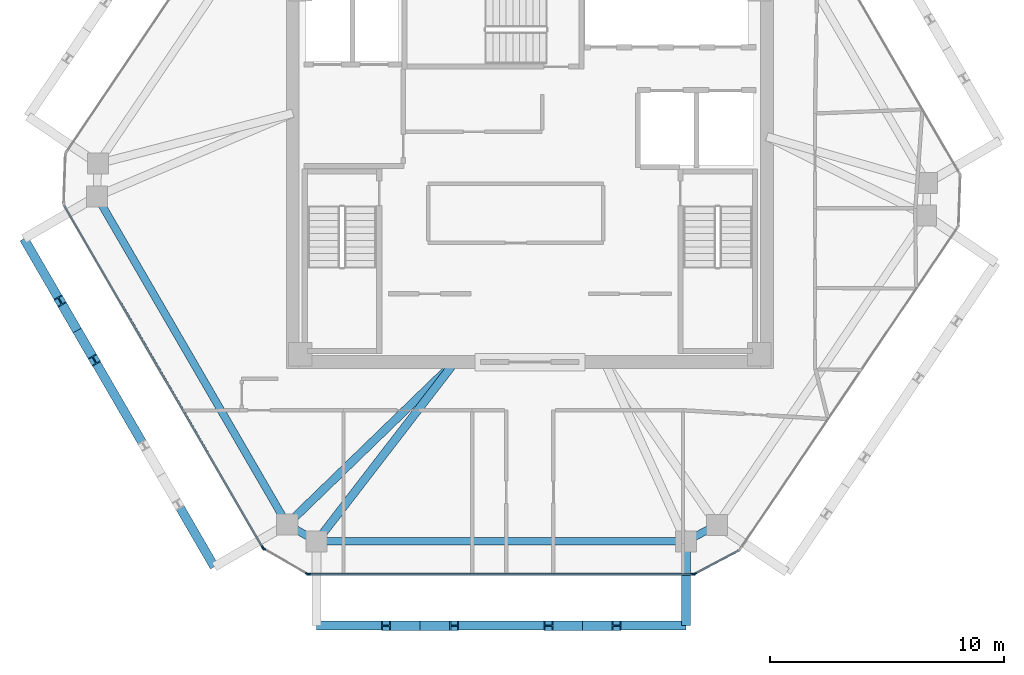
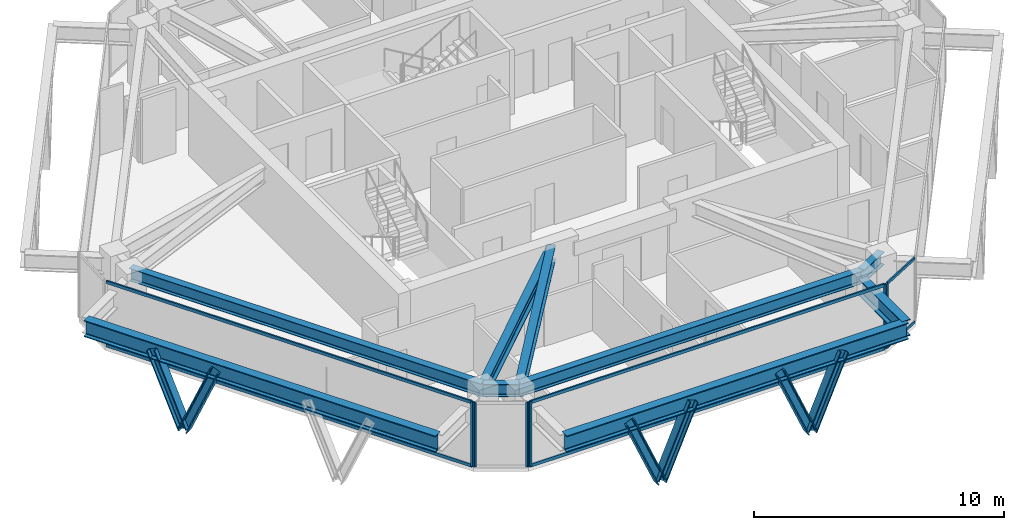
# One storey, part 2 of 11: 18 members, 9 beams, 4 elements without a shape of their own.
"""IFC4 building model written with IfcOpenShell, lengths in metres."""

from ifc_helpers import new_model, si_unit, direction, frame, origin, origin_2d, place, context, subcontext, project, spatial, rectangle, i_section, extrude, source, transform, mapped, material, layer, layer_set, material_profile, profile_set, type_object, type_shapes, element, aggregate, save


model = new_model("IFC4")

# Units and contexts
model_context = context("Model", 3, precision=1e-05, world=origin(), true_north=direction((0.0, 1.0)))
body_context = subcontext(model_context, "Body", "Model", "MODEL_VIEW")
ifc_project = project(units=[si_unit("LENGTHUNIT", "METRE"), si_unit("AREAUNIT", "SQUARE_METRE"), si_unit("VOLUMEUNIT", "CUBIC_METRE"), si_unit("PLANEANGLEUNIT", "RADIAN"), si_unit("MASSUNIT", "GRAM", prefix="KILO")], contexts=[model_context])

# Site, building, storey
site_placement = place(None, origin())
site = spatial("IfcSite", under=ifc_project, at=site_placement, CompositionType="ELEMENT")
building_placement = place(site_placement, origin())
building = spatial("IfcBuilding", under=site, at=building_placement, Name="Durnholm Broadcast Tower", CompositionType="ELEMENT")
storey_placement = place(building_placement, frame((0.0, 0.0, 251.300048828125)))
storey = spatial("IfcBuildingStorey", under=building, at=storey_placement, Name="L70", CompositionType="ELEMENT", Elevation=251.300048828125)

# Beams
ifc_material_1 = material(Name="Steel ASTM A992 Grade 50", Category="steel")
ifc_material_profile_1 = material_profile(ifc_material_1, i_section(OverallWidth=0.385009765625, OverallDepth=0.802978515625, WebThickness=0.023681640625, FlangeThickness=0.0419921875, FilletRadius=0.032958984375, at=origin_2d()), Name="W30X261")
ifc_profile_set_1 = profile_set([ifc_material_profile_1], Name="Steel ASTM A992 Grade 50")
beam_type_1 = type_object("IfcBeamType", Name="BM-EXO-TIE", PredefinedType="USERDEFINED", material=ifc_profile_set_1)
shared_shape_1 = source(origin(), body_context, "Body", "SweptSolid", [
    extrude(i_section(OverallWidth=0.385009765625, OverallDepth=0.802978515625, WebThickness=0.023681640625, FlangeThickness=0.0419921875, FilletRadius=0.032958984375, at=origin_2d()), origin(), (0.0, 0.0, 1.0), 3.4560546875),
])
beam_1_placement = place(storey_placement, frame((6.663818359375, -15.929931640625, 2.408447265625), z_axis=(0.0, -1.0, 0.0), x_axis=(1.0, 0.0, 0.0)))
element("IfcBeam", 1, at=beam_1_placement, inside=storey, type_object=beam_type_1, Name="L70 exoskeleton stand-off tie bracket F1.2", ObjectType="GIRDER", PredefinedType="USERDEFINED", context=body_context, shape_type="MappedRepresentation", body=[
    mapped(shared_shape_1, transform((0.0, 0.0, 0.0), x_axis=(1.0, 0.0, 0.0), y_axis=(0.0, 1.0, 0.0), z_axis=(0.0, 0.0, 1.0), scale=1.0)),
])
ifc_material_profile_2 = material_profile(ifc_material_1, i_section(OverallWidth=0.3251953125, OverallDepth=0.6162109375, WebThickness=0.013916015625, FlangeThickness=0.021484375, FilletRadius=0.02783203125, at=origin_2d()), Name="W24X117")
ifc_profile_set_2 = profile_set([ifc_material_profile_2], Name="Steel ASTM A992 Grade 50")
beam_type_2 = type_object("IfcBeamType", Name="STL-SP-W24X117", PredefinedType="SPANDREL", material=ifc_profile_set_2)
shared_shape_2 = source(origin(), body_context, "Body", "SweptSolid", [
    extrude(i_section(OverallWidth=0.3251953125, OverallDepth=0.6162109375, WebThickness=0.013916015625, FlangeThickness=0.021484375, FilletRadius=0.02783203125, at=origin_2d()), origin(), (0.0, 0.0, 1.0), 16.202880859375),
])
beam_2_placement = place(storey_placement, frame((-10.361328125, -15.061767578125, 2.8369140625), z_axis=(-0.501948303381, 0.864897624423, 0.0), x_axis=(-0.864897624423, -0.501948303381, 0.0)))
element("IfcBeam", 2, at=beam_2_placement, inside=storey, type_object=beam_type_2, Name="L70 perimeter spandrel girder 01", PredefinedType="SPANDREL", context=body_context, shape_type="MappedRepresentation", body=[
    mapped(shared_shape_2, transform((0.0, 0.0, 0.0), x_axis=(1.0, 0.0, 0.0), y_axis=(0.0, 1.0, 0.0), z_axis=(0.0, 0.0, 1.0), scale=1.0)),
])
shared_shape_3 = source(origin(), body_context, "Body", "SweptSolid", [
    extrude(i_section(OverallWidth=0.3251953125, OverallDepth=0.6162109375, WebThickness=0.013916015625, FlangeThickness=0.021484375, FilletRadius=0.02783203125, at=origin_2d()), origin(), (0.0, 0.0, 1.0), 1.502685546875),
])
beam_3_placement = place(storey_placement, frame((7.990966796875, -15.081298828125, 2.8369140625), z_axis=(-0.883241909673, -0.468917614296, 0.0), x_axis=(0.468917614296, -0.883241909673, 0.0)))
element("IfcBeam", 3, at=beam_3_placement, inside=storey, type_object=beam_type_2, Name="L70 perimeter spandrel girder 10", PredefinedType="SPANDREL", context=body_context, shape_type="MappedRepresentation", body=[
    mapped(shared_shape_3, transform((0.0, 0.0, 0.0), x_axis=(1.0, 0.0, 0.0), y_axis=(0.0, 1.0, 0.0), z_axis=(0.0, 0.0, 1.0), scale=1.0)),
])
shared_shape_4 = source(origin(), body_context, "Body", "SweptSolid", [
    extrude(i_section(OverallWidth=0.3251953125, OverallDepth=0.6162109375, WebThickness=0.013916015625, FlangeThickness=0.021484375, FilletRadius=0.02783203125, at=origin_2d()), origin(), (0.0, 0.0, 1.0), 15.767578125),
])
beam_4_placement = place(storey_placement, frame((6.663818359375, -15.785888671875, 2.8369140625), z_axis=(-1.0, 0.0, 0.0), x_axis=(0.0, -1.0, 0.0)))
element("IfcBeam", 4, at=beam_4_placement, inside=storey, type_object=beam_type_2, Name="L70 perimeter spandrel girder 11", PredefinedType="SPANDREL", context=body_context, shape_type="MappedRepresentation", body=[
    mapped(shared_shape_4, transform((0.0, 0.0, 0.0), x_axis=(1.0, 0.0, 0.0), y_axis=(0.0, 1.0, 0.0), z_axis=(0.0, 0.0, 1.0), scale=1.0)),
])
shared_shape_5 = source(origin(), body_context, "Body", "SweptSolid", [
    extrude(i_section(OverallWidth=0.3251953125, OverallDepth=0.6162109375, WebThickness=0.013916015625, FlangeThickness=0.021484375, FilletRadius=0.02783203125, at=origin_2d()), origin(), (0.0, 0.0, 1.0), 1.451171875),
])
type_shapes(beam_type_2, [shared_shape_2, shared_shape_3, shared_shape_4, shared_shape_5])
beam_5_placement = place(storey_placement, frame((-9.103759765625, -15.785888671875, 2.8369140625), z_axis=(-0.866602615509, 0.498998904601, 0.0), x_axis=(-0.498998904601, -0.866602615509, 0.0)))
element("IfcBeam", 5, at=beam_5_placement, inside=storey, type_object=beam_type_2, Name="L70 perimeter spandrel girder 12", PredefinedType="SPANDREL", context=body_context, shape_type="MappedRepresentation", body=[
    mapped(shared_shape_5, transform((0.0, 0.0, 0.0), x_axis=(1.0, 0.0, 0.0), y_axis=(0.0, 1.0, 0.0), z_axis=(0.0, 0.0, 1.0), scale=1.0)),
])
shared_shape_6 = source(origin(), body_context, "Body", "SweptSolid", [
    extrude(i_section(OverallWidth=0.385009765625, OverallDepth=0.802978515625, WebThickness=0.023681640625, FlangeThickness=0.0419921875, FilletRadius=0.032958984375, at=origin_2d()), origin(), (0.0, 0.0, 1.0), 15.767578125),
])
beam_6_placement = place(storey_placement, frame((-9.103759765625, -19.385986328125, 2.408447265625), z_axis=(1.0, 0.0, 0.0), x_axis=(0.0, 1.0, 0.0)))
element("IfcBeam", 6, at=beam_6_placement, inside=storey, type_object=beam_type_1, Name="L70 exoskeleton collector spandrel F1", PredefinedType="SPANDREL", context=body_context, shape_type="MappedRepresentation", body=[
    mapped(shared_shape_6, transform((0.0, 0.0, 0.0), x_axis=(1.0, 0.0, 0.0), y_axis=(0.0, 1.0, 0.0), z_axis=(0.0, 0.0, 1.0), scale=1.0)),
])
shared_shape_7 = source(origin(), body_context, "Body", "SweptSolid", [
    extrude(i_section(OverallWidth=0.385009765625, OverallDepth=0.802978515625, WebThickness=0.023681640625, FlangeThickness=0.0419921875, FilletRadius=0.032958984375, at=origin_2d()), origin(), (0.0, 0.0, 1.0), 16.20263671875),
])
type_shapes(beam_type_1, [shared_shape_1, shared_shape_6, shared_shape_7])
beam_7_placement = place(storey_placement, frame((-21.60791015625, -2.85498046875, 2.408447265625), z_axis=(0.501943573333, -0.864900369516, 0.0), x_axis=(0.864900369516, 0.501943573333, 0.0)))
element("IfcBeam", 7, at=beam_7_placement, inside=storey, type_object=beam_type_1, Name="L70 exoskeleton collector spandrel F6", PredefinedType="SPANDREL", context=body_context, shape_type="MappedRepresentation", body=[
    mapped(shared_shape_7, transform((0.0, 0.0, 0.0), x_axis=(1.0, 0.0, 0.0), y_axis=(0.0, 1.0, 0.0), z_axis=(0.0, 0.0, 1.0), scale=1.0)),
])
ifc_material_profile_3 = material_profile(ifc_material_1, i_section(OverallWidth=0.3564453125, OverallDepth=0.713623046875, WebThickness=0.01904296875, FlangeThickness=0.033935546875, FilletRadius=0.030517578125, at=origin_2d()), Name="W27X194")
ifc_profile_set_3 = profile_set([ifc_material_profile_3], Name="Steel ASTM A992 Grade 50")
beam_type_3 = type_object("IfcBeamType", Name="STL-GR-W27X194", PredefinedType="USERDEFINED", material=ifc_profile_set_3)
shared_shape_8 = source(origin(), body_context, "Body", "SweptSolid", [
    extrude(i_section(OverallWidth=0.3564453125, OverallDepth=0.713623046875, WebThickness=0.01904296875, FlangeThickness=0.033935546875, FilletRadius=0.030517578125, at=origin_2d()), origin(), (0.0, 0.0, 1.0), 9.97021484375),
])
beam_8_placement = place(storey_placement, frame((-3.199951171875, -8.125, 2.7880859375), z_axis=(-0.718281140352, -0.695752975857, 0.0), x_axis=(0.695752975857, -0.718281140352, 0.0)))
element("IfcBeam", 8, at=beam_8_placement, inside=storey, type_object=beam_type_3, Name="L70 radial primary floor girder 01", ObjectType="GIRDER", PredefinedType="USERDEFINED", context=body_context, shape_type="MappedRepresentation", body=[
    mapped(shared_shape_8, transform((0.0, 0.0, 0.0), x_axis=(1.0, 0.0, 0.0), y_axis=(0.0, 1.0, 0.0), z_axis=(0.0, 0.0, 1.0), scale=1.0)),
])
shared_shape_9 = source(origin(), body_context, "Body", "SweptSolid", [
    extrude(i_section(OverallWidth=0.3564453125, OverallDepth=0.713623046875, WebThickness=0.01904296875, FlangeThickness=0.033935546875, FilletRadius=0.030517578125, at=origin_2d()), origin(), (0.0, 0.0, 1.0), 9.671875),
])
type_shapes(beam_type_3, [shared_shape_8, shared_shape_9])
beam_9_placement = place(storey_placement, frame((-3.199951171875, -8.125, 2.7880859375), z_axis=(-0.610413181287, -0.792083169945, 0.0), x_axis=(0.792083169945, -0.610413181287, 0.0)))
element("IfcBeam", 9, at=beam_9_placement, inside=storey, type_object=beam_type_3, Name="L70 radial primary floor girder 12", ObjectType="GIRDER", PredefinedType="USERDEFINED", context=body_context, shape_type="MappedRepresentation", body=[
    mapped(shared_shape_9, transform((0.0, 0.0, 0.0), x_axis=(1.0, 0.0, 0.0), y_axis=(0.0, 1.0, 0.0), z_axis=(0.0, 0.0, 1.0), scale=1.0)),
])

# Members
ifc_material_2 = material(Name="Steel ASTM A913 Grade 65", Category="steel")
ifc_material_profile_4 = material_profile(ifc_material_2, i_section(OverallWidth=0.40625, OverallDepth=0.416015625, WebThickness=0.02978515625, FlangeThickness=0.048095703125, FilletRadius=0.030517578125, at=origin_2d()), Name="W14X257")
ifc_profile_set_4 = profile_set([ifc_material_profile_4], Name="Steel ASTM A913 Grade 65")
member_type_1 = type_object("IfcMemberType", Name="STL-DG-W14X257", PredefinedType="BRACE", material=ifc_profile_set_4)
shared_shape_10 = source(origin(), body_context, "Body", "SweptSolid", [
    extrude(i_section(OverallWidth=0.40625, OverallDepth=0.416015625, WebThickness=0.02978515625, FlangeThickness=0.048095703125, FilletRadius=0.030517578125, at=origin_2d()), origin(), (0.0, 0.0, 1.0), 3.699462890625),
])
type_shapes(member_type_1, [shared_shape_10])
for number, where, z_axis, x_axis, name in (
    (10, (-4.688720703125, -19.385986328125, -0.991455078125), (-0.394182120618, 0.0, 0.919032347518), (0.0, -1.0, 0.0), "L70 stand-off diagrid brace F1.D1.1"),
    (11, (-4.688720703125, -19.385986328125, -0.991455078125), (0.394126378567, 0.0, 0.919056253838), (0.0, 1.0, 0.0), "L70 stand-off diagrid brace F1.D1.2"),
    (12, (2.248779296875, -19.385986328125, -0.991455078125), (-0.394182120618, 0.0, 0.919032347518), (0.0, -1.0, 0.0), "L70 stand-off diagrid brace F1.D2.1"),
    (13, (2.248779296875, -19.385986328125, -0.991455078125), (0.394182120618, 0.0, 0.919032347518), (0.0, 1.0, 0.0), "L70 stand-off diagrid brace F1.D2.2"),
    (14, (-19.330810546875, -6.77880859375, -0.991455078125), (-0.197787082808, 0.340930286883, 0.919046685082), (-0.864978863669, -0.501808295473, 0.0), "L70 stand-off diagrid brace F6.D1.1"),
    (15, (-19.330810546875, -6.77880859375, -0.991455078125), (0.197913904471, -0.340921383961, 0.919022685452), (0.864833498681, 0.50205878098, 0.0), "L70 stand-off diagrid brace F6.D1.2"),
):
    element("IfcMember", number, at=place(storey_placement, frame(where, z_axis=z_axis, x_axis=x_axis)), inside=storey, type_object=member_type_1, Name=name, PredefinedType="BRACE", context=body_context, shape_type="MappedRepresentation", body=[
        mapped(shared_shape_10, transform((0.0, 0.0, 0.0), x_axis=(1.0, 0.0, 0.0), y_axis=(0.0, 1.0, 0.0), z_axis=(0.0, 0.0, 1.0), scale=1.0)),
    ])

# Curtain wall, members
ifc_material_3 = material(Name="Aluminium and Solar Control IGU", Category="aluminium")
ifc_layer_1 = layer(ifc_material_3, 0.1650390625)
ifc_layer_set_1 = layer_set([ifc_layer_1], Name="Aluminium and Solar Control IGU")
curtain_wall_type_1 = type_object("IfcCurtainWallType", Name="CW-SYS-5", PredefinedType="NOTDEFINED", material=ifc_layer_set_1)
curtain_wall_1_placement = place(storey_placement, origin())
curtain_wall_1 = element("IfcCurtainWall", 16, at=curtain_wall_1_placement, inside=storey, type_object=curtain_wall_type_1, Name="L70 curtain wall CW-CORNER CW-L70-CRN-09", PredefinedType="NOTDEFINED")
ifc_material_4 = material(Name="Aluminium 6063-T6", Category="aluminium")
ifc_material_profile_5 = material_profile(ifc_material_4, rectangle(XDim=0.06494140625, YDim=0.1298828125, at=origin_2d()), Name="CWT65X130")
ifc_profile_set_5 = profile_set([ifc_material_profile_5], Name="Aluminium 6063-T6")
member_type_2 = type_object("IfcMemberType", Name="CW-SYS-5-TRN", PredefinedType="USERDEFINED", material=ifc_profile_set_5)
shared_shape_11 = source(origin(), body_context, "Body", "SweptSolid", [
    extrude(rectangle(XDim=0.06494140625, YDim=0.1298828125, at=origin_2d()), origin(), (0.0, 0.0, 1.0), 2.070068359375),
])
type_shapes(member_type_2, [shared_shape_11])
member_1_placement = place(storey_placement, frame((8.89794921875, -16.1845703125, 0.032470703125), z_axis=(-0.883164581026, -0.469063239682, 0.0), x_axis=(0.469063239682, -0.883164581026, 0.0)))
member_1 = element("IfcMember", 17, at=member_1_placement, type_object=member_type_2, Name="CW-CORNER transom 1.1", ObjectType="TRANSOM", PredefinedType="USERDEFINED", context=body_context, shape_type="MappedRepresentation", body=[
    mapped(shared_shape_11, transform((0.0, 0.0, 0.0), x_axis=(1.0, 0.0, 0.0), y_axis=(0.0, 1.0, 0.0), z_axis=(0.0, 0.0, 1.0), scale=1.0)),
])
member_2_placement = place(storey_placement, frame((8.89794921875, -16.1845703125, 3.12744140625), z_axis=(-0.883164581026, -0.469063239682, 0.0), x_axis=(0.469063239682, -0.883164581026, 0.0)))
member_2 = element("IfcMember", 18, at=member_2_placement, type_object=member_type_2, Name="CW-CORNER transom 1.2", ObjectType="TRANSOM", PredefinedType="USERDEFINED", context=body_context, shape_type="MappedRepresentation", body=[
    mapped(shared_shape_11, transform((0.0, 0.0, 0.0), x_axis=(1.0, 0.0, 0.0), y_axis=(0.0, 1.0, 0.0), z_axis=(0.0, 0.0, 1.0), scale=1.0)),
])

ifc_layer_2 = layer(ifc_material_3, 0.18994140625)
ifc_layer_set_2 = layer_set([ifc_layer_2], Name="Aluminium and Solar Control IGU")
curtain_wall_type_2 = type_object("IfcCurtainWallType", Name="CW-SYS-4", PredefinedType="NOTDEFINED", material=ifc_layer_set_2)
curtain_wall_2_placement = place(storey_placement, origin())
curtain_wall_2 = element("IfcCurtainWall", 19, at=curtain_wall_2_placement, inside=storey, type_object=curtain_wall_type_2, Name="L70 curtain wall CW-Z34-VIS CW-L70-F10", PredefinedType="NOTDEFINED")
ifc_material_profile_6 = material_profile(ifc_material_4, rectangle(XDim=0.070068359375, YDim=0.14990234375, at=origin_2d()), Name="CWT70X150")
ifc_profile_set_6 = profile_set([ifc_material_profile_6], Name="Aluminium 6063-T6")
member_type_3 = type_object("IfcMemberType", Name="CW-SYS-4-TRN", PredefinedType="USERDEFINED", material=ifc_profile_set_6)
shared_shape_12 = source(origin(), body_context, "Body", "SweptSolid", [
    extrude(rectangle(XDim=0.070068359375, YDim=0.14990234375, at=origin_2d()), origin(), (0.0, 0.0, 1.0), 16.350341796875),
])
member_3_placement = place(storey_placement, frame((6.9423828125, -17.18603515625, 0.034912109375), z_axis=(-1.0, 0.0, 0.0), x_axis=(0.0, -1.0, 0.0)))
member_3 = element("IfcMember", 20, at=member_3_placement, type_object=member_type_3, Name="CW-Z34-VIS transom 1.1", ObjectType="TRANSOM", PredefinedType="USERDEFINED", context=body_context, shape_type="MappedRepresentation", body=[
    mapped(shared_shape_12, transform((0.0, 0.0, 0.0), x_axis=(1.0, 0.0, 0.0), y_axis=(0.0, 1.0, 0.0), z_axis=(0.0, 0.0, 1.0), scale=1.0)),
])
member_4_placement = place(storey_placement, frame((6.9423828125, -17.18603515625, 3.125), z_axis=(-1.0, 0.0, 0.0), x_axis=(0.0, -1.0, 0.0)))
member_4 = element("IfcMember", 21, at=member_4_placement, type_object=member_type_3, Name="CW-Z34-VIS transom 1.2", ObjectType="TRANSOM", PredefinedType="USERDEFINED", context=body_context, shape_type="MappedRepresentation", body=[
    mapped(shared_shape_12, transform((0.0, 0.0, 0.0), x_axis=(1.0, 0.0, 0.0), y_axis=(0.0, 1.0, 0.0), z_axis=(0.0, 0.0, 1.0), scale=1.0)),
])

curtain_wall_3_placement = place(storey_placement, origin())
curtain_wall_3 = element("IfcCurtainWall", 22, at=curtain_wall_3_placement, inside=storey, type_object=curtain_wall_type_2, Name="L70 curtain wall CW-Z34-VIS CW-L70-F12", PredefinedType="NOTDEFINED")
shared_shape_13 = source(origin(), body_context, "Body", "SweptSolid", [
    extrude(rectangle(XDim=0.070068359375, YDim=0.14990234375, at=origin_2d()), origin(), (0.0, 0.0, 1.0), 16.83984375),
])
type_shapes(member_type_3, [shared_shape_12, shared_shape_13])
member_5_placement = place(storey_placement, frame((-11.41943359375, -16.027587890625, 0.034912109375), z_axis=(-0.501945239029, 0.86489940283, 0.0), x_axis=(-0.86489940283, -0.501945239029, 0.0)))
member_5 = element("IfcMember", 23, at=member_5_placement, type_object=member_type_3, Name="CW-Z34-VIS transom 1.1", ObjectType="TRANSOM", PredefinedType="USERDEFINED", context=body_context, shape_type="MappedRepresentation", body=[
    mapped(shared_shape_13, transform((0.0, 0.0, 0.0), x_axis=(1.0, 0.0, 0.0), y_axis=(0.0, 1.0, 0.0), z_axis=(0.0, 0.0, 1.0), scale=1.0)),
])
member_6_placement = place(storey_placement, frame((-11.41943359375, -16.027587890625, 3.125), z_axis=(-0.501945239029, 0.86489940283, 0.0), x_axis=(-0.86489940283, -0.501945239029, 0.0)))
member_6 = element("IfcMember", 24, at=member_6_placement, type_object=member_type_3, Name="CW-Z34-VIS transom 1.2", ObjectType="TRANSOM", PredefinedType="USERDEFINED", context=body_context, shape_type="MappedRepresentation", body=[
    mapped(shared_shape_13, transform((0.0, 0.0, 0.0), x_axis=(1.0, 0.0, 0.0), y_axis=(0.0, 1.0, 0.0), z_axis=(0.0, 0.0, 1.0), scale=1.0)),
])

# Member
ifc_material_profile_7 = material_profile(ifc_material_4, rectangle(XDim=0.06494140625, YDim=0.1650390625, at=origin_2d()), Name="CWM65X165")
ifc_profile_set_7 = profile_set([ifc_material_profile_7], Name="Aluminium 6063-T6")
member_type_4 = type_object("IfcMemberType", Name="CW-SYS-5-MUL", PredefinedType="MULLION", material=ifc_profile_set_7)
shared_shape_14 = source(origin(), body_context, "Body", "SweptSolid", [
    extrude(rectangle(XDim=0.06494140625, YDim=0.1650390625, at=origin_2d()), origin(), (0.0, 0.0, 1.0), 3.159912109375),
])
type_shapes(member_type_4, [shared_shape_14])
member_7_placement = place(storey_placement, frame((7.041015625, -17.170654296875, 0.0), z_axis=(0.0, 0.0, 1.0), x_axis=(0.469006771575, -0.883194569853, 0.0)))
member_7 = element("IfcMember", 25, at=member_7_placement, type_object=member_type_4, Name="CW-CORNER mullion 2", PredefinedType="MULLION", context=body_context, shape_type="MappedRepresentation", body=[
    mapped(shared_shape_14, transform((0.0, 0.0, 0.0), x_axis=(1.0, 0.0, 0.0), y_axis=(0.0, 1.0, 0.0), z_axis=(0.0, 0.0, 1.0), scale=1.0)),
])

aggregate(curtain_wall_1, [member_7, member_1, member_2])

# Curtain wall, members
curtain_wall_4_placement = place(storey_placement, origin())
curtain_wall_4 = element("IfcCurtainWall", 26, at=curtain_wall_4_placement, inside=storey, type_object=curtain_wall_type_1, Name="L70 curtain wall CW-CORNER CW-L70-CRN-11", PredefinedType="NOTDEFINED")
member_8_placement = place(storey_placement, frame((-9.506103515625, -17.169677734375, 0.0), z_axis=(0.0, 0.0, 1.0), x_axis=(-0.499058582333, -0.866568249707, 0.0)))
member_8 = element("IfcMember", 27, at=member_8_placement, type_object=member_type_4, Name="CW-CORNER mullion 1", PredefinedType="MULLION", context=body_context, shape_type="MappedRepresentation", body=[
    mapped(shared_shape_14, transform((0.0, 0.0, 0.0), x_axis=(1.0, 0.0, 0.0), y_axis=(0.0, 1.0, 0.0), z_axis=(0.0, 0.0, 1.0), scale=1.0)),
])
member_9_placement = place(storey_placement, frame((-11.356201171875, -16.104248046875, 0.0), z_axis=(0.0, 0.0, 1.0), x_axis=(-0.499058582333, -0.866568249707, 0.0)))
member_9 = element("IfcMember", 28, at=member_9_placement, type_object=member_type_4, Name="CW-CORNER mullion 2", PredefinedType="MULLION", context=body_context, shape_type="MappedRepresentation", body=[
    mapped(shared_shape_14, transform((0.0, 0.0, 0.0), x_axis=(1.0, 0.0, 0.0), y_axis=(0.0, 1.0, 0.0), z_axis=(0.0, 0.0, 1.0), scale=1.0)),
])
aggregate(curtain_wall_4, [member_8, member_9])

# Member
ifc_material_profile_8 = material_profile(ifc_material_4, rectangle(XDim=0.070068359375, YDim=0.18994140625, at=origin_2d()), Name="CWM70X190")
ifc_profile_set_8 = profile_set([ifc_material_profile_8], Name="Aluminium 6063-T6")
member_type_5 = type_object("IfcMemberType", Name="CW-SYS-4-MUL", PredefinedType="MULLION", material=ifc_profile_set_8)
shared_shape_15 = source(origin(), body_context, "Body", "SweptSolid", [
    extrude(rectangle(XDim=0.070068359375, YDim=0.18994140625, at=origin_2d()), origin(), (0.0, 0.0, 1.0), 3.159912109375),
])
type_shapes(member_type_5, [shared_shape_15])
member_10_placement = place(storey_placement, frame((6.977294921875, -17.18603515625, 0.0), z_axis=(0.0, 0.0, 1.0), x_axis=(0.0, -1.0, 0.0)))
member_10 = element("IfcMember", 29, at=member_10_placement, type_object=member_type_5, Name="CW-Z34-VIS mullion 1", PredefinedType="MULLION", context=body_context, shape_type="MappedRepresentation", body=[
    mapped(shared_shape_15, transform((0.0, 0.0, 0.0), x_axis=(1.0, 0.0, 0.0), y_axis=(0.0, 1.0, 0.0), z_axis=(0.0, 0.0, 1.0), scale=1.0)),
])

member_11_placement = place(storey_placement, frame((-9.443115234375, -17.18603515625, 0.0), z_axis=(0.0, 0.0, 1.0), x_axis=(0.0, -1.0, 0.0)))
member_11 = element("IfcMember", 30, at=member_11_placement, type_object=member_type_5, Name="CW-Z34-VIS mullion 2", PredefinedType="MULLION", context=body_context, shape_type="MappedRepresentation", body=[
    mapped(shared_shape_15, transform((0.0, 0.0, 0.0), x_axis=(1.0, 0.0, 0.0), y_axis=(0.0, 1.0, 0.0), z_axis=(0.0, 0.0, 1.0), scale=1.0)),
])

aggregate(curtain_wall_2, [member_10, member_11, member_3, member_4])

member_12_placement = place(storey_placement, frame((-11.40185546875, -16.057861328125, 0.0), z_axis=(0.0, 0.0, 1.0), x_axis=(-0.864899883824, -0.50194441023, 0.0)))
member_12 = element("IfcMember", 31, at=member_12_placement, type_object=member_type_5, Name="CW-Z34-VIS mullion 1", PredefinedType="MULLION", context=body_context, shape_type="MappedRepresentation", body=[
    mapped(shared_shape_15, transform((0.0, 0.0, 0.0), x_axis=(1.0, 0.0, 0.0), y_axis=(0.0, 1.0, 0.0), z_axis=(0.0, 0.0, 1.0), scale=1.0)),
])

aggregate(curtain_wall_3, [member_12, member_5, member_6])

save(model, "model.ifc")
